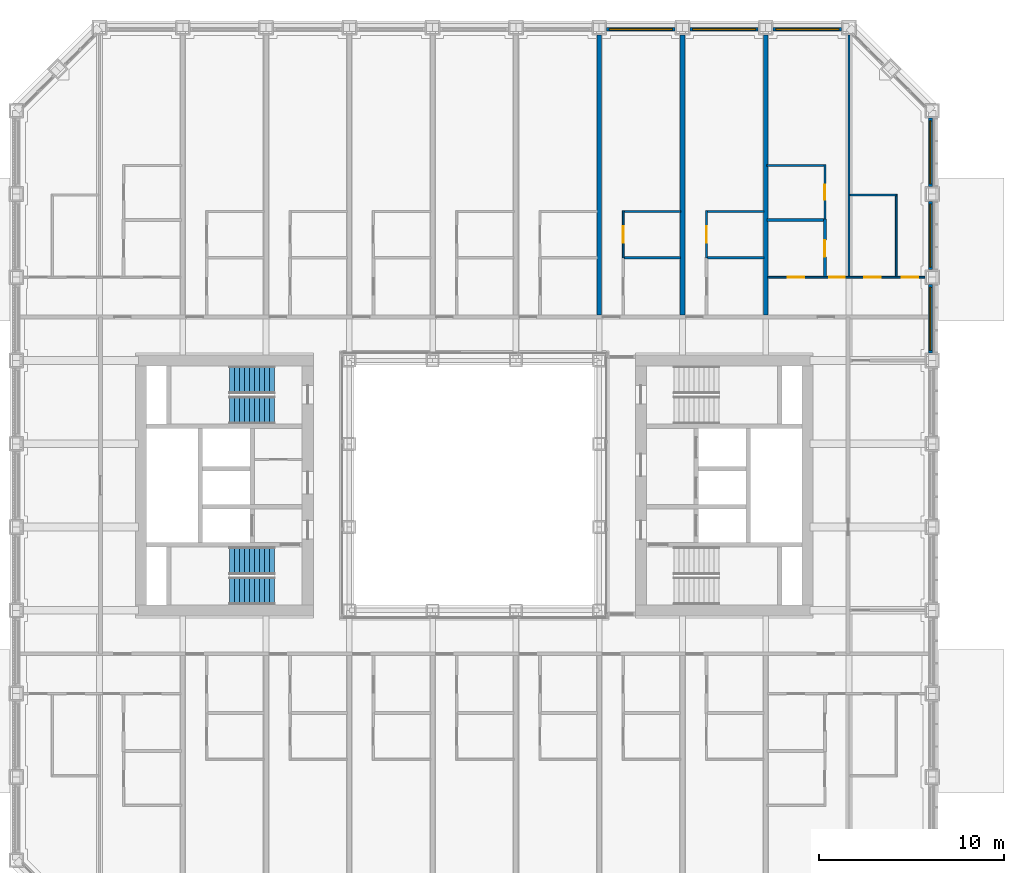
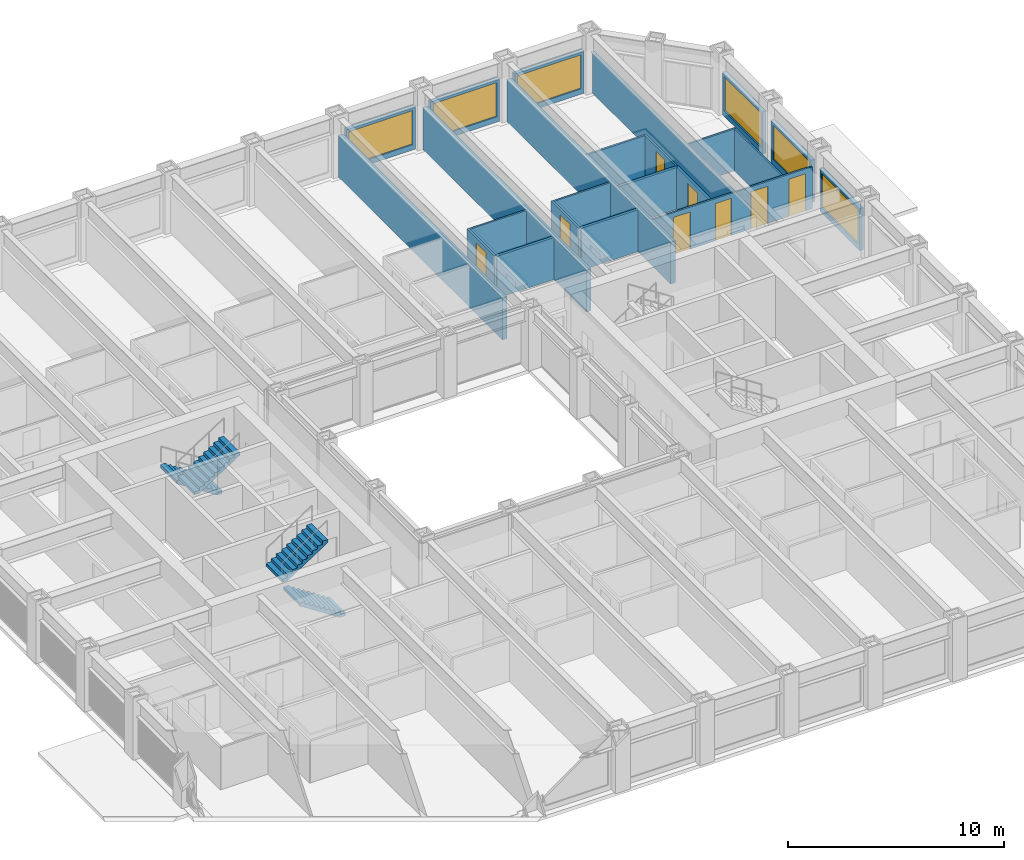
# One storey, part 18 of 24: 23 walls, 8 doors, 6 windows, 4 stair flights, 14 openings, 2 elements without a shape of their own.
"""IFC4 building model written with IfcOpenShell, lengths in metres."""

from ifc_helpers import new_model, si_unit, direction, frame, frame_2d, origin, place, context, subcontext, project, spatial, polyline, rectangle, outline, extrude, material, layer, layer_set, type_object, element, fill, aggregate, save


model = new_model("IFC4")

# Units and contexts
model_context = context("Model", 3, precision=1e-05, world=origin(), true_north=direction((0.0, 1.0)))
body_context = subcontext(model_context, "Body", "Model", "MODEL_VIEW")
ifc_project = project(units=[si_unit("LENGTHUNIT", "METRE"), si_unit("AREAUNIT", "SQUARE_METRE"), si_unit("VOLUMEUNIT", "CUBIC_METRE"), si_unit("PLANEANGLEUNIT", "RADIAN"), si_unit("MASSUNIT", "GRAM", prefix="KILO")], contexts=[model_context])

# Site, building, storey
site_placement = place(None, origin())
site = spatial("IfcSite", under=ifc_project, at=site_placement, CompositionType="ELEMENT")
building_placement = place(site_placement, origin())
building = spatial("IfcBuilding", under=site, at=building_placement, Name="Msasa Ring Tower", CompositionType="ELEMENT")
storey_placement = place(building_placement, frame((0.0, 0.0, 26.5)))
storey = spatial("IfcBuildingStorey", under=building, at=storey_placement, Name="L05", CompositionType="ELEMENT", Elevation=26.5)

# Wall, opening, window
ifc_material_1 = material(Name="Terracotta rainscreen on blockwork", Category="masonry")
ifc_layer_1 = layer(ifc_material_1, 0.199951171875)
ifc_layer_set_1 = layer_set([ifc_layer_1], Name="FW1 TERRACOTTA-LINED INFILL BAY WALL 200")
wall_type_1 = type_object("IfcWallType", Name="FW1 TERRACOTTA-LINED INFILL BAY WALL 200", PredefinedType="SOLIDWALL", material=ifc_layer_set_1)
wall_1_placement = place(storey_placement, frame((24.64990234375, 7.155029296875, 0.0), z_axis=(0.0, 0.0, 1.0), x_axis=(0.0, 1.0, 0.0)))
wall_1 = element("IfcWall", 1, at=wall_1_placement, inside=storey, type_object=wall_type_1, Name="Infill bay wall E L05 17", PredefinedType="SOLIDWALL", context=body_context, shape_type="SweptSolid", body=[
    extrude(rectangle(XDim=3.68994140625, YDim=0.199951171875, at=frame_2d((1.844970703125, 0.0))), origin(), (0.0, 0.0, 1.0), 2.37890625),
])
opening_1_placement = place(wall_1_placement, frame((0.14501953125, 0.0, 0.300048828125)))
opening_1 = element("IfcOpeningElement", 2, at=opening_1_placement, cuts=wall_1, Name="Opening WN1", PredefinedType="OPENING", context=body_context, shape_type="SweptSolid", body=[
    extrude(rectangle(XDim=3.39990234375, YDim=1.928955078125, at=frame_2d((1.699951171875, 0.96435546875))), frame((0.0, 0.10986328125, 0.0), z_axis=(0.0, -1.0, 0.0), x_axis=(1.0, 0.0, 0.0)), (0.0, 0.0, 1.0), 0.219970703125),
])
ifc_material_2 = material(Name="Aluminium frame with clear glass", Category="aluminium")
window_type = type_object("IfcWindowType", Name="WN1 RESIDENCE WINDOW 3400x1929", PartitioningType="SINGLE_PANEL", PredefinedType="WINDOW", material=ifc_material_2)
window_1_placement = place(opening_1_placement, origin())
window_1 = element("IfcWindow", 3, at=window_1_placement, inside=storey, type_object=window_type, Name="Window E L05 17", OverallHeight=1.928955078125, OverallWidth=3.39990234375, PartitioningType="SINGLE_PANEL", PredefinedType="WINDOW", context=body_context, shape_type="SweptSolid", body=[
    extrude(rectangle(XDim=3.39990234375, YDim=1.928955078125, at=frame_2d((1.699951171875, 0.96435546875))), frame((0.0, 0.030029296875, 0.0), z_axis=(0.0, -1.0, 0.0), x_axis=(1.0, 0.0, 0.0)), (0.0, 0.0, 1.0), 0.06005859375),
])
fill(opening_1, window_1)

wall_2_placement = place(storey_placement, frame((24.64990234375, 11.655029296875, 0.0), z_axis=(0.0, 0.0, 1.0), x_axis=(0.0, 1.0, 0.0)))
wall_2 = element("IfcWall", 4, at=wall_2_placement, inside=storey, type_object=wall_type_1, Name="Infill bay wall E L05 18", PredefinedType="SOLIDWALL", context=body_context, shape_type="SweptSolid", body=[
    extrude(rectangle(XDim=3.68994140625, YDim=0.199951171875, at=frame_2d((1.844970703125, 0.0))), origin(), (0.0, 0.0, 1.0), 2.37890625),
])
opening_2_placement = place(wall_2_placement, frame((0.14501953125, 0.0, 0.300048828125)))
opening_2 = element("IfcOpeningElement", 5, at=opening_2_placement, cuts=wall_2, Name="Opening WN1", PredefinedType="OPENING", context=body_context, shape_type="SweptSolid", body=[
    extrude(rectangle(XDim=3.39990234375, YDim=1.928955078125, at=frame_2d((1.699951171875, 0.96435546875))), frame((0.0, 0.10986328125, 0.0), z_axis=(0.0, -1.0, 0.0), x_axis=(1.0, 0.0, 0.0)), (0.0, 0.0, 1.0), 0.219970703125),
])
window_2_placement = place(opening_2_placement, origin())
window_2 = element("IfcWindow", 6, at=window_2_placement, inside=storey, type_object=window_type, Name="Window E L05 18", OverallHeight=1.928955078125, OverallWidth=3.39990234375, PartitioningType="SINGLE_PANEL", PredefinedType="WINDOW", context=body_context, shape_type="SweptSolid", body=[
    extrude(rectangle(XDim=3.39990234375, YDim=1.928955078125, at=frame_2d((1.699951171875, 0.96435546875))), frame((0.0, 0.030029296875, 0.0), z_axis=(0.0, -1.0, 0.0), x_axis=(1.0, 0.0, 0.0)), (0.0, 0.0, 1.0), 0.06005859375),
])
fill(opening_2, window_2)

wall_3_placement = place(storey_placement, frame((24.64990234375, 16.155029296875, 0.0), z_axis=(0.0, 0.0, 1.0), x_axis=(0.0, 1.0, 0.0)))
wall_3 = element("IfcWall", 7, at=wall_3_placement, inside=storey, type_object=wall_type_1, Name="Infill bay wall E L05 19", PredefinedType="SOLIDWALL", context=body_context, shape_type="SweptSolid", body=[
    extrude(rectangle(XDim=3.68994140625, YDim=0.199951171875, at=frame_2d((1.844970703125, 0.0))), origin(), (0.0, 0.0, 1.0), 2.37890625),
])
opening_3_placement = place(wall_3_placement, frame((0.14501953125, 0.0, 0.300048828125)))
opening_3 = element("IfcOpeningElement", 8, at=opening_3_placement, cuts=wall_3, Name="Opening WN1", PredefinedType="OPENING", context=body_context, shape_type="SweptSolid", body=[
    extrude(rectangle(XDim=3.39990234375, YDim=1.928955078125, at=frame_2d((1.699951171875, 0.96435546875))), frame((0.0, 0.10986328125, 0.0), z_axis=(0.0, -1.0, 0.0), x_axis=(1.0, 0.0, 0.0)), (0.0, 0.0, 1.0), 0.219970703125),
])
window_3_placement = place(opening_3_placement, origin())
window_3 = element("IfcWindow", 9, at=window_3_placement, inside=storey, type_object=window_type, Name="Window E L05 19", OverallHeight=1.928955078125, OverallWidth=3.39990234375, PartitioningType="SINGLE_PANEL", PredefinedType="WINDOW", context=body_context, shape_type="SweptSolid", body=[
    extrude(rectangle(XDim=3.39990234375, YDim=1.928955078125, at=frame_2d((1.699951171875, 0.96435546875))), frame((0.0, 0.030029296875, 0.0), z_axis=(0.0, -1.0, 0.0), x_axis=(1.0, 0.0, 0.0)), (0.0, 0.0, 1.0), 0.06005859375),
])
fill(opening_3, window_3)

wall_4_placement = place(storey_placement, frame((7.155029296875, 24.64990234375, 0.0), z_axis=(0.0, 0.0, 1.0), x_axis=(1.0, 0.0, 0.0)))
wall_4 = element("IfcWall", 10, at=wall_4_placement, inside=storey, type_object=wall_type_1, Name="Infill bay wall N L05 28", PredefinedType="SOLIDWALL", context=body_context, shape_type="SweptSolid", body=[
    extrude(rectangle(XDim=3.68994140625, YDim=0.199951171875, at=frame_2d((1.844970703125, 0.0))), origin(), (0.0, 0.0, 1.0), 2.37890625),
])
opening_4_placement = place(wall_4_placement, frame((0.14501953125, 0.0, 0.300048828125)))
opening_4 = element("IfcOpeningElement", 11, at=opening_4_placement, cuts=wall_4, Name="Opening WN1", PredefinedType="OPENING", context=body_context, shape_type="SweptSolid", body=[
    extrude(rectangle(XDim=3.39990234375, YDim=1.928955078125, at=frame_2d((1.699951171875, 0.96435546875))), frame((0.0, 0.10986328125, 0.0), z_axis=(0.0, -1.0, 0.0), x_axis=(1.0, 0.0, 0.0)), (0.0, 0.0, 1.0), 0.219970703125),
])
window_4_placement = place(opening_4_placement, origin())
window_4 = element("IfcWindow", 12, at=window_4_placement, inside=storey, type_object=window_type, Name="Window N L05 28", OverallHeight=1.928955078125, OverallWidth=3.39990234375, PartitioningType="SINGLE_PANEL", PredefinedType="WINDOW", context=body_context, shape_type="SweptSolid", body=[
    extrude(rectangle(XDim=3.39990234375, YDim=1.928955078125, at=frame_2d((1.699951171875, 0.96435546875))), frame((0.0, 0.030029296875, 0.0), z_axis=(0.0, -1.0, 0.0), x_axis=(1.0, 0.0, 0.0)), (0.0, 0.0, 1.0), 0.06005859375),
])
fill(opening_4, window_4)

wall_5_placement = place(storey_placement, frame((11.655029296875, 24.64990234375, 0.0), z_axis=(0.0, 0.0, 1.0), x_axis=(1.0, 0.0, 0.0)))
wall_5 = element("IfcWall", 13, at=wall_5_placement, inside=storey, type_object=wall_type_1, Name="Infill bay wall N L05 29", PredefinedType="SOLIDWALL", context=body_context, shape_type="SweptSolid", body=[
    extrude(rectangle(XDim=3.68994140625, YDim=0.199951171875, at=frame_2d((1.844970703125, 0.0))), origin(), (0.0, 0.0, 1.0), 2.37890625),
])
opening_5_placement = place(wall_5_placement, frame((0.14501953125, 0.0, 0.300048828125)))
opening_5 = element("IfcOpeningElement", 14, at=opening_5_placement, cuts=wall_5, Name="Opening WN1", PredefinedType="OPENING", context=body_context, shape_type="SweptSolid", body=[
    extrude(rectangle(XDim=3.39990234375, YDim=1.928955078125, at=frame_2d((1.699951171875, 0.96435546875))), frame((0.0, 0.10986328125, 0.0), z_axis=(0.0, -1.0, 0.0), x_axis=(1.0, 0.0, 0.0)), (0.0, 0.0, 1.0), 0.219970703125),
])
window_5_placement = place(opening_5_placement, origin())
window_5 = element("IfcWindow", 15, at=window_5_placement, inside=storey, type_object=window_type, Name="Window N L05 29", OverallHeight=1.928955078125, OverallWidth=3.39990234375, PartitioningType="SINGLE_PANEL", PredefinedType="WINDOW", context=body_context, shape_type="SweptSolid", body=[
    extrude(rectangle(XDim=3.39990234375, YDim=1.928955078125, at=frame_2d((1.699951171875, 0.96435546875))), frame((0.0, 0.030029296875, 0.0), z_axis=(0.0, -1.0, 0.0), x_axis=(1.0, 0.0, 0.0)), (0.0, 0.0, 1.0), 0.06005859375),
])
fill(opening_5, window_5)

wall_6_placement = place(storey_placement, frame((16.155029296875, 24.64990234375, 0.0), z_axis=(0.0, 0.0, 1.0), x_axis=(1.0, 0.0, 0.0)))
wall_6 = element("IfcWall", 16, at=wall_6_placement, inside=storey, type_object=wall_type_1, Name="Infill bay wall N L05 30", PredefinedType="SOLIDWALL", context=body_context, shape_type="SweptSolid", body=[
    extrude(rectangle(XDim=3.68994140625, YDim=0.199951171875, at=frame_2d((1.844970703125, 0.0))), origin(), (0.0, 0.0, 1.0), 2.37890625),
])
opening_6_placement = place(wall_6_placement, frame((0.14501953125, 0.0, 0.300048828125)))
opening_6 = element("IfcOpeningElement", 17, at=opening_6_placement, cuts=wall_6, Name="Opening WN1", PredefinedType="OPENING", context=body_context, shape_type="SweptSolid", body=[
    extrude(rectangle(XDim=3.39990234375, YDim=1.928955078125, at=frame_2d((1.699951171875, 0.96435546875))), frame((0.0, 0.10986328125, 0.0), z_axis=(0.0, -1.0, 0.0), x_axis=(1.0, 0.0, 0.0)), (0.0, 0.0, 1.0), 0.219970703125),
])
window_6_placement = place(opening_6_placement, origin())
window_6 = element("IfcWindow", 18, at=window_6_placement, inside=storey, type_object=window_type, Name="Window N L05 30", OverallHeight=1.928955078125, OverallWidth=3.39990234375, PartitioningType="SINGLE_PANEL", PredefinedType="WINDOW", context=body_context, shape_type="SweptSolid", body=[
    extrude(rectangle(XDim=3.39990234375, YDim=1.928955078125, at=frame_2d((1.699951171875, 0.96435546875))), frame((0.0, 0.030029296875, 0.0), z_axis=(0.0, -1.0, 0.0), x_axis=(1.0, 0.0, 0.0)), (0.0, 0.0, 1.0), 0.06005859375),
])
fill(opening_6, window_6)

# Wall
ifc_material_3 = material(Name="Gypsum board on steel studs", Category="steel")
ifc_layer_2 = layer(ifc_material_3, 0.10009765625)
ifc_layer_set_2 = layer_set([ifc_layer_2], Name="PT2 STUD PARTITION 100")
wall_type_2 = type_object("IfcWallType", Name="PT2 STUD PARTITION 100", PredefinedType="PARTITIONING", material=ifc_layer_set_2)
wall_7_placement = place(storey_placement, frame((8.10009765625, 14.800048828125, 0.0), z_axis=(0.0, 0.0, 1.0), x_axis=(1.0, 0.0, 0.0)))
element("IfcWall", 19, at=wall_7_placement, inside=storey, type_object=wall_type_2, Name="Partition L05-UN06KY", PredefinedType="PARTITIONING", context=body_context, shape_type="SweptSolid", body=[
    extrude(rectangle(XDim=3.0498046875, YDim=0.10009765625, at=frame_2d((1.52490234375, 0.0))), origin(), (0.0, 0.0, 1.0), 2.373291015625),
])

# Wall, opening, door
wall_8_placement = place(storey_placement, frame((8.050048828125, 12.300048828125, 0.0), z_axis=(0.0, 0.0, 1.0), x_axis=(0.0, 1.0, 0.0)))
wall_8 = element("IfcWall", 20, at=wall_8_placement, inside=storey, type_object=wall_type_2, Name="Partition L05-UN06KX", PredefinedType="PARTITIONING", context=body_context, shape_type="SweptSolid", body=[
    extrude(rectangle(XDim=2.550048828125, YDim=0.10009765625, at=frame_2d((1.27490234375, 0.0))), origin(), (0.0, 0.0, 1.0), 2.373291015625),
])
opening_7_placement = place(wall_8_placement, frame((0.81005859375, 0.0, 0.0)))
opening_7 = element("IfcOpeningElement", 21, at=opening_7_placement, cuts=wall_8, Name="Opening RA-008", PredefinedType="OPENING", context=body_context, shape_type="SweptSolid", body=[
    extrude(rectangle(XDim=0.89990234375, YDim=2.10009765625, at=frame_2d((0.449951171875, 1.050048828125))), frame((0.0, 0.06005859375, 0.0), z_axis=(0.0, -1.0, 0.0), x_axis=(1.0, 0.0, 0.0)), (0.0, 0.0, 1.0), 0.1201171875),
])
ifc_material_4 = material(Name="Timber door leaf in a steel frame", Category="steel")
door_type_1 = type_object("IfcDoorType", Name="D22 INTERNAL HALL DOOR 900x2100", OperationType="SINGLE_SWING_LEFT", PredefinedType="DOOR", material=ifc_material_4)
door_1_placement = place(opening_7_placement, origin())
door_1 = element("IfcDoor", 22, at=door_1_placement, inside=storey, type_object=door_type_1, Name="Door L05-UN06K", OperationType="SINGLE_SWING_LEFT", OverallHeight=2.10009765625, OverallWidth=0.89990234375, PredefinedType="DOOR", context=body_context, shape_type="SweptSolid", body=[
    extrude(rectangle(XDim=0.89990234375, YDim=2.10009765625, at=frame_2d((0.449951171875, 1.050048828125))), frame((0.0, 0.02490234375, 0.0), z_axis=(0.0, -1.0, 0.0), x_axis=(1.0, 0.0, 0.0)), (0.0, 0.0, 1.0), 0.050048828125),
])
fill(opening_7, door_1)

# Wall
wall_9_placement = place(storey_placement, frame((12.60009765625, 14.800048828125, 0.0), z_axis=(0.0, 0.0, 1.0), x_axis=(1.0, 0.0, 0.0)))
element("IfcWall", 23, at=wall_9_placement, inside=storey, type_object=wall_type_2, Name="Partition L05-UN07KY", PredefinedType="PARTITIONING", context=body_context, shape_type="SweptSolid", body=[
    extrude(rectangle(XDim=3.0498046875, YDim=0.10009765625, at=frame_2d((1.52490234375, 0.0))), origin(), (0.0, 0.0, 1.0), 2.373291015625),
])

# Wall, opening, door
wall_10_placement = place(storey_placement, frame((12.550048828125, 12.300048828125, 0.0), z_axis=(0.0, 0.0, 1.0), x_axis=(0.0, 1.0, 0.0)))
wall_10 = element("IfcWall", 24, at=wall_10_placement, inside=storey, type_object=wall_type_2, Name="Partition L05-UN07KX", PredefinedType="PARTITIONING", context=body_context, shape_type="SweptSolid", body=[
    extrude(rectangle(XDim=2.550048828125, YDim=0.10009765625, at=frame_2d((1.27490234375, 0.0))), origin(), (0.0, 0.0, 1.0), 2.373291015625),
])
opening_8_placement = place(wall_10_placement, frame((0.81005859375, 0.0, 0.0)))
opening_8 = element("IfcOpeningElement", 25, at=opening_8_placement, cuts=wall_10, Name="Opening RA-009", PredefinedType="OPENING", context=body_context, shape_type="SweptSolid", body=[
    extrude(rectangle(XDim=0.89990234375, YDim=2.10009765625, at=frame_2d((0.449951171875, 1.050048828125))), frame((0.0, 0.06005859375, 0.0), z_axis=(0.0, -1.0, 0.0), x_axis=(1.0, 0.0, 0.0)), (0.0, 0.0, 1.0), 0.1201171875),
])
door_2_placement = place(opening_8_placement, origin())
door_2 = element("IfcDoor", 26, at=door_2_placement, inside=storey, type_object=door_type_1, Name="Door L05-UN07K", OperationType="SINGLE_SWING_LEFT", OverallHeight=2.10009765625, OverallWidth=0.89990234375, PredefinedType="DOOR", context=body_context, shape_type="SweptSolid", body=[
    extrude(rectangle(XDim=0.89990234375, YDim=2.10009765625, at=frame_2d((0.449951171875, 1.050048828125))), frame((0.0, 0.02490234375, 0.0), z_axis=(0.0, -1.0, 0.0), x_axis=(1.0, 0.0, 0.0)), (0.0, 0.0, 1.0), 0.050048828125),
])
fill(opening_8, door_2)

# Wall, openings, doors
wall_11_placement = place(storey_placement, frame((15.85009765625, 11.25, 0.0), z_axis=(0.0, 0.0, 1.0), x_axis=(1.0, 0.0, 0.0)))
wall_11 = element("IfcWall", 27, at=wall_11_placement, inside=storey, type_object=wall_type_2, Name="Partition L05-UN08HY", PredefinedType="PARTITIONING", context=body_context, shape_type="SweptSolid", body=[
    extrude(rectangle(XDim=8.5, YDim=0.10009765625, at=frame_2d((4.25, 0.0))), origin(), (0.0, 0.0, 1.0), 2.373291015625),
])
opening_9_placement = place(wall_11_placement, frame((5.22509765625, 0.0, 0.0)))
opening_9 = element("IfcOpeningElement", 28, at=opening_9_placement, cuts=wall_11, Name="Opening RA-018", PredefinedType="OPENING", context=body_context, shape_type="SweptSolid", body=[
    extrude(rectangle(XDim=0.89990234375, YDim=2.10009765625, at=frame_2d((0.449951171875, 1.050048828125))), frame((0.0, 0.06005859375, 0.0), z_axis=(0.0, -1.0, 0.0), x_axis=(1.0, 0.0, 0.0)), (0.0, 0.0, 1.0), 0.1201171875),
])
opening_10_placement = place(wall_11_placement, frame((7.25, 0.0, 0.0)))
opening_10 = element("IfcOpeningElement", 29, at=opening_10_placement, cuts=wall_11, Name="Opening RA-019", PredefinedType="OPENING", context=body_context, shape_type="SweptSolid", body=[
    extrude(rectangle(XDim=0.89990234375, YDim=2.10009765625, at=frame_2d((0.449951171875, 1.050048828125))), frame((0.0, 0.06005859375, 0.0), z_axis=(0.0, -1.0, 0.0), x_axis=(1.0, 0.0, 0.0)), (0.0, 0.0, 1.0), 0.1201171875),
])
opening_11_placement = place(wall_11_placement, frame((3.324951171875, 0.0, 0.0)))
opening_11 = element("IfcOpeningElement", 30, at=opening_11_placement, cuts=wall_11, Name="Opening RA-017", PredefinedType="OPENING", context=body_context, shape_type="SweptSolid", body=[
    extrude(rectangle(XDim=0.85009765625, YDim=2.10009765625, at=frame_2d((0.425048828125, 1.050048828125))), frame((0.0, 0.06005859375, 0.0), z_axis=(0.0, -1.0, 0.0), x_axis=(1.0, 0.0, 0.0)), (0.0, 0.0, 1.0), 0.1201171875),
])
opening_12_placement = place(wall_11_placement, frame((1.080078125, 0.0, 0.0)))
opening_12 = element("IfcOpeningElement", 31, at=opening_12_placement, cuts=wall_11, Name="Opening RA-016", PredefinedType="OPENING", context=body_context, shape_type="SweptSolid", body=[
    extrude(rectangle(XDim=0.89990234375, YDim=2.10009765625, at=frame_2d((0.449951171875, 1.050048828125))), frame((0.0, 0.06005859375, 0.0), z_axis=(0.0, -1.0, 0.0), x_axis=(1.0, 0.0, 0.0)), (0.0, 0.0, 1.0), 0.1201171875),
])
ifc_material_5 = material(Name="Timber door leaf in a steel frame", Category="steel")
door_type_2 = type_object("IfcDoorType", Name="D14 BEDROOM DOOR 850x2100", OperationType="SINGLE_SWING_LEFT", PredefinedType="DOOR", material=ifc_material_5)
door_3_placement = place(opening_11_placement, origin())
door_3 = element("IfcDoor", 32, at=door_3_placement, inside=storey, type_object=door_type_2, Name="Door L05-UN08R1", OperationType="SINGLE_SWING_LEFT", OverallHeight=2.10009765625, OverallWidth=0.85009765625, PredefinedType="DOOR", context=body_context, shape_type="SweptSolid", body=[
    extrude(rectangle(XDim=0.85009765625, YDim=2.10009765625, at=frame_2d((0.425048828125, 1.050048828125))), frame((0.0, 0.02490234375, 0.0), z_axis=(0.0, -1.0, 0.0), x_axis=(1.0, 0.0, 0.0)), (0.0, 0.0, 1.0), 0.050048828125),
])
fill(opening_11, door_3)
door_4_placement = place(opening_9_placement, origin())
door_4 = element("IfcDoor", 33, at=door_4_placement, inside=storey, type_object=door_type_1, Name="Door L05-UN08K", OperationType="SINGLE_SWING_RIGHT", OverallHeight=2.10009765625, OverallWidth=0.89990234375, PredefinedType="DOOR", context=body_context, shape_type="SweptSolid", body=[
    extrude(rectangle(XDim=0.89990234375, YDim=2.10009765625, at=frame_2d((0.449951171875, 1.050048828125))), frame((0.0, 0.02490234375, 0.0), z_axis=(0.0, -1.0, 0.0), x_axis=(1.0, 0.0, 0.0)), (0.0, 0.0, 1.0), 0.050048828125),
])
fill(opening_9, door_4)
door_5_placement = place(opening_10_placement, origin())
door_5 = element("IfcDoor", 34, at=door_5_placement, inside=storey, type_object=door_type_1, Name="Door L05-UN08L", OperationType="SINGLE_SWING_RIGHT", OverallHeight=2.10009765625, OverallWidth=0.89990234375, PredefinedType="DOOR", context=body_context, shape_type="SweptSolid", body=[
    extrude(rectangle(XDim=0.89990234375, YDim=2.10009765625, at=frame_2d((0.449951171875, 1.050048828125))), frame((0.0, 0.02490234375, 0.0), z_axis=(0.0, -1.0, 0.0), x_axis=(1.0, 0.0, 0.0)), (0.0, 0.0, 1.0), 0.050048828125),
])
fill(opening_10, door_5)
ifc_material_6 = material(Name="Timber door leaf in a steel frame", Category="steel")
door_type_3 = type_object("IfcDoorType", Name="D3 BATHROOM DOOR 900x2100", OperationType="SINGLE_SWING_LEFT", PredefinedType="DOOR", material=ifc_material_6)
door_6_placement = place(opening_12_placement, origin())
door_6 = element("IfcDoor", 35, at=door_6_placement, inside=storey, type_object=door_type_3, Name="Door L05-UN08BH1", OperationType="SINGLE_SWING_LEFT", OverallHeight=2.10009765625, OverallWidth=0.89990234375, PredefinedType="DOOR", context=body_context, shape_type="SweptSolid", body=[
    extrude(rectangle(XDim=0.89990234375, YDim=2.10009765625, at=frame_2d((0.449951171875, 1.050048828125))), frame((0.0, 0.02490234375, 0.0), z_axis=(0.0, -1.0, 0.0), x_axis=(1.0, 0.0, 0.0)), (0.0, 0.0, 1.0), 0.050048828125),
])
fill(opening_12, door_6)

# Walls
wall_12_placement = place(storey_placement, frame((22.800048828125, 11.300048828125, 0.0), z_axis=(0.0, 0.0, 1.0), x_axis=(0.0, 1.0, 0.0)))
element("IfcWall", 36, at=wall_12_placement, inside=storey, type_object=wall_type_2, Name="Partition L05-UN08KX", PredefinedType="PARTITIONING", context=body_context, shape_type="SweptSolid", body=[
    extrude(rectangle(XDim=4.442138671875, YDim=0.10009765625, at=frame_2d((2.22119140625, 0.0))), origin(), (0.0, 0.0, 1.0), 2.373291015625),
])
wall_13_placement = place(storey_placement, frame((20.300048828125, 15.692138671875, 0.0), z_axis=(0.0, 0.0, 1.0), x_axis=(1.0, 0.0, 0.0)))
element("IfcWall", 37, at=wall_13_placement, inside=storey, type_object=wall_type_2, Name="Partition L05-UN08KY", PredefinedType="PARTITIONING", context=body_context, shape_type="SweptSolid", body=[
    extrude(rectangle(XDim=2.5, YDim=0.10009765625, at=frame_2d((1.25, 0.0))), origin(), (0.0, 0.0, 1.0), 2.373291015625),
])
wall_14_placement = place(storey_placement, frame((20.25, 11.300048828125, 0.0), z_axis=(0.0, 0.0, 1.0), x_axis=(0.0, 1.0, 0.0)))
element("IfcWall", 38, at=wall_14_placement, inside=storey, type_object=wall_type_2, Name="Partition L05-UN08P1", PredefinedType="PARTITIONING", context=body_context, shape_type="SweptSolid", body=[
    extrude(rectangle(XDim=13.050048828125, YDim=0.10009765625, at=frame_2d((6.52490234375, 0.0))), origin(), (0.0, 0.0, 1.0), 2.373291015625),
])

# Wall, opening, door
wall_15_placement = place(storey_placement, frame((18.949951171875, 14.39990234375, 0.0), z_axis=(0.0, 0.0, 1.0), x_axis=(0.0, 1.0, 0.0)))
wall_15 = element("IfcWall", 39, at=wall_15_placement, inside=storey, type_object=wall_type_2, Name="Partition L05-UN08WX1", PredefinedType="PARTITIONING", context=body_context, shape_type="SweptSolid", body=[
    extrude(rectangle(XDim=2.94091796875, YDim=0.10009765625, at=frame_2d((1.470458984375, 0.0))), origin(), (0.0, 0.0, 1.0), 2.373291015625),
])
opening_13_placement = place(wall_15_placement, frame((1.04541015625, 0.0, 0.0)))
opening_13 = element("IfcOpeningElement", 40, at=opening_13_placement, cuts=wall_15, Name="Opening RA-002", PredefinedType="OPENING", context=body_context, shape_type="SweptSolid", body=[
    extrude(rectangle(XDim=0.800048828125, YDim=2.10009765625, at=frame_2d((0.39990234375, 1.050048828125))), frame((0.0, 0.06005859375, 0.0), z_axis=(0.0, -1.0, 0.0), x_axis=(1.0, 0.0, 0.0)), (0.0, 0.0, 1.0), 0.1201171875),
])
ifc_material_7 = material(Name="Timber door leaf in a steel frame", Category="steel")
door_type_4 = type_object("IfcDoorType", Name="D60 DRESSING ROOM DOOR 800x2100", OperationType="SINGLE_SWING_LEFT", PredefinedType="DOOR", material=ifc_material_7)
door_7_placement = place(opening_13_placement, origin())
door_7 = element("IfcDoor", 41, at=door_7_placement, inside=storey, type_object=door_type_4, Name="Door L05-UN08W1", OperationType="SINGLE_SWING_LEFT", OverallHeight=2.10009765625, OverallWidth=0.800048828125, PredefinedType="DOOR", context=body_context, shape_type="SweptSolid", body=[
    extrude(rectangle(XDim=0.800048828125, YDim=2.10009765625, at=frame_2d((0.39990234375, 1.050048828125))), frame((0.0, 0.02490234375, 0.0), z_axis=(0.0, -1.0, 0.0), x_axis=(1.0, 0.0, 0.0)), (0.0, 0.0, 1.0), 0.050048828125),
])
fill(opening_13, door_7)

# Walls
wall_16_placement = place(storey_placement, frame((15.81005859375, 17.291015625, 0.0), z_axis=(0.0, 0.0, 1.0), x_axis=(1.0, 0.0, 0.0)))
element("IfcWall", 42, at=wall_16_placement, inside=storey, type_object=wall_type_2, Name="Partition L05-UN08WY1", PredefinedType="PARTITIONING", context=body_context, shape_type="SweptSolid", body=[
    extrude(rectangle(XDim=3.139892578125, YDim=0.10009765625, at=frame_2d((1.56982421875, 0.0))), origin(), (0.0, 0.0, 1.0), 2.373291015625),
])
ifc_material_8 = material(Name="Dense concrete blockwork, plastered both faces", Category="masonry")
ifc_layer_3 = layer(ifc_material_8, 0.25)
ifc_layer_set_3 = layer_set([ifc_layer_3], Name="PT3 APARTMENT SEPARATING WALL 250")
wall_type_3 = type_object("IfcWallType", Name="PT3 APARTMENT SEPARATING WALL 250", PredefinedType="PARTITIONING", material=ifc_layer_set_3)
for number, where, z_axis, x_axis, name in (
    (43, (6.75, 9.199951171875, 0.0), (0.0, 0.0, 1.0), (0.0, 1.0, 0.0), "Party wall L05-PWN+6.75"),
    (44, (11.25, 9.199951171875, 0.0), (0.0, 0.0, 1.0), (0.0, 1.0, 0.0), "Party wall L05-PWN+11.25"),
    (45, (15.75, 9.199951171875, 0.0), (0.0, 0.0, 1.0), (0.0, 1.0, 0.0), "Party wall L05-PWN+15.75"),
):
    element("IfcWall", number, at=place(storey_placement, frame(where, z_axis=z_axis, x_axis=x_axis)), inside=storey, type_object=wall_type_3, Name=name, PredefinedType="PARTITIONING", context=body_context, shape_type="SweptSolid", body=[
        extrude(rectangle(XDim=15.150146484375, YDim=0.25, at=frame_2d((7.5751953125, 0.0))), origin(), (0.0, 0.0, 1.0), 2.373291015625),
    ])
ifc_material_9 = material(Name="Moisture-resistant board on steel studs with a concealed cistern and pipe void, tiled", Category="steel")
ifc_layer_4 = layer(ifc_material_9, 0.14990234375)
ifc_layer_set_4 = layer_set([ifc_layer_4], Name="PT4 BATHROOM WET WALL 150")
wall_type_4 = type_object("IfcWallType", Name="PT4 BATHROOM WET WALL 150", PredefinedType="PARTITIONING", material=ifc_layer_set_4)
for number, where, z_axis, x_axis, name in (
    (46, (8.10009765625, 12.300048828125, 0.0), (0.0, 0.0, 1.0), (1.0, 0.0, 0.0), "Partition L05-UN06BY"),
    (47, (12.60009765625, 12.300048828125, 0.0), (0.0, 0.0, 1.0), (1.0, 0.0, 0.0), "Partition L05-UN07BY"),
):
    element("IfcWall", number, at=place(storey_placement, frame(where, z_axis=z_axis, x_axis=x_axis)), inside=storey, type_object=wall_type_4, Name=name, PredefinedType="PARTITIONING", context=body_context, shape_type="SweptSolid", body=[
        extrude(rectangle(XDim=3.0498046875, YDim=0.14990234375, at=frame_2d((1.52490234375, 0.0))), origin(), (0.0, 0.0, 1.0), 2.373291015625),
    ])

# Wall, opening, door
wall_17_placement = place(storey_placement, frame((18.949951171875, 11.300048828125, 0.0), z_axis=(0.0, 0.0, 1.0), x_axis=(0.0, 1.0, 0.0)))
wall_17 = element("IfcWall", 48, at=wall_17_placement, inside=storey, type_object=wall_type_4, Name="Partition L05-UN08BX1", PredefinedType="PARTITIONING", context=body_context, shape_type="SweptSolid", body=[
    extrude(rectangle(XDim=3.099853515625, YDim=0.14990234375, at=frame_2d((1.5498046875, 0.0))), origin(), (0.0, 0.0, 1.0), 2.373291015625),
])
opening_14_placement = place(wall_17_placement, frame((1.050048828125, 0.0, 0.0)))
opening_14 = element("IfcOpeningElement", 49, at=opening_14_placement, cuts=wall_17, Name="Opening RA-011", PredefinedType="OPENING", context=body_context, shape_type="SweptSolid", body=[
    extrude(rectangle(XDim=0.89990234375, YDim=2.10009765625, at=frame_2d((0.449951171875, 1.050048828125))), frame((0.0, 0.0849609375, 0.0), z_axis=(0.0, -1.0, 0.0), x_axis=(1.0, 0.0, 0.0)), (0.0, 0.0, 1.0), 0.169921875),
])
door_8_placement = place(opening_14_placement, origin())
door_8 = element("IfcDoor", 50, at=door_8_placement, inside=storey, type_object=door_type_3, Name="Door L05-UN08B1", OperationType="SINGLE_SWING_LEFT", OverallHeight=2.10009765625, OverallWidth=0.89990234375, PredefinedType="DOOR", context=body_context, shape_type="SweptSolid", body=[
    extrude(rectangle(XDim=0.89990234375, YDim=2.10009765625, at=frame_2d((0.449951171875, 1.050048828125))), frame((0.0, 0.02490234375, 0.0), z_axis=(0.0, -1.0, 0.0), x_axis=(1.0, 0.0, 0.0)), (0.0, 0.0, 1.0), 0.050048828125),
])
fill(opening_14, door_8)

# Wall
wall_18_placement = place(storey_placement, frame((15.81005859375, 14.35009765625, 0.0), z_axis=(0.0, 0.0, 1.0), x_axis=(1.0, 0.0, 0.0)))
element("IfcWall", 51, at=wall_18_placement, inside=storey, type_object=wall_type_4, Name="Partition L05-UN08BY1", PredefinedType="PARTITIONING", context=body_context, shape_type="SweptSolid", body=[
    extrude(rectangle(XDim=3.139892578125, YDim=0.14990234375, at=frame_2d((1.56982421875, 0.0))), origin(), (0.0, 0.0, 1.0), 2.373291015625),
])

# Stair, stair flights
ifc_material_10 = material(Name="Concrete C40/50", Category="concrete")
stair_type = type_object("IfcStairType", Name="STC CORE STAIR 20 RISERS 175", PredefinedType="HALF_TURN_STAIR", material=ifc_material_10)
stair_1_placement = place(storey_placement, origin())
stair_1 = element("IfcStair", 52, at=stair_1_placement, inside=storey, type_object=stair_type, Name="Core stair SWA L05", PredefinedType="HALF_TURN_STAIR")
ifc_material_11 = material(Name="Concrete C40/50", Category="concrete")
stair_flight_type = type_object("IfcStairFlightType", Name="ST12 CORE STAIR FLIGHT 1500 10 RISERS 175", PredefinedType="STRAIGHT", material=ifc_material_11)
stair_flight_1_placement = place(storey_placement, frame((-10.800048828125, -5.699951171875, 0.0), z_axis=(0.0, 0.0, 1.0), x_axis=(-1.0, 0.0, 0.0)))
stair_flight_1 = element("IfcStairFlight", 53, at=stair_flight_1_placement, type_object=stair_flight_type, Name="SWA flight 1", NumberOfRisers=10, NumberOfTreads=9, PredefinedType="STRAIGHT", RiserHeight=0.175, TreadLength=0.27, context=body_context, shape_type="SweptSolid", body=[
    extrude(outline(polyline([(0.0, 0.0), (0.0, 0.175048828125), (0.27001953125, 0.175048828125), (0.27001953125, 0.35009765625), (0.5400390625, 0.35009765625), (0.5400390625, 0.52490234375), (0.81005859375, 0.52490234375), (0.81005859375, 0.699951171875), (1.080078125, 0.699951171875), (1.080078125, 0.875), (1.35009765625, 0.875), (1.35009765625, 1.050048828125), (1.6201171875, 1.050048828125), (1.6201171875, 1.22509765625), (1.889892578125, 1.22509765625), (1.889892578125, 1.39990234375), (2.159912109375, 1.39990234375), (2.159912109375, 1.574951171875), (2.429931640625, 1.574951171875), (2.429931640625, 1.75), (2.429931640625, 1.396484375), (0.275634765625, 0.0), (0.0, 0.0)])), frame((0.0, 0.75, 0.0), z_axis=(0.0, -1.0, 0.0), x_axis=(1.0, 0.0, 0.0)), (0.0, 0.0, 1.0), 1.5),
])
stair_flight_2_placement = place(storey_placement, frame((-13.22998046875, -4.074951171875, 1.75), z_axis=(0.0, 0.0, 1.0), x_axis=(1.0, 0.0, 0.0)))
stair_flight_2 = element("IfcStairFlight", 54, at=stair_flight_2_placement, type_object=stair_flight_type, Name="SWA flight 2", NumberOfRisers=10, NumberOfTreads=9, PredefinedType="STRAIGHT", RiserHeight=0.175, TreadLength=0.27, context=body_context, shape_type="SweptSolid", body=[
    extrude(outline(polyline([(0.0, 0.0), (0.0, 0.175048828125), (0.27001953125, 0.175048828125), (0.27001953125, 0.35009765625), (0.5400390625, 0.35009765625), (0.5400390625, 0.52490234375), (0.81005859375, 0.52490234375), (0.81005859375, 0.699951171875), (1.080078125, 0.699951171875), (1.080078125, 0.875), (1.35009765625, 0.875), (1.35009765625, 1.050048828125), (1.6201171875, 1.050048828125), (1.6201171875, 1.22509765625), (1.889892578125, 1.22509765625), (1.889892578125, 1.39990234375), (2.159912109375, 1.39990234375), (2.159912109375, 1.574951171875), (2.429931640625, 1.574951171875), (2.429931640625, 1.75), (2.429931640625, 1.396484375), (0.275634765625, 0.0), (0.0, 0.0)])), frame((0.0, 0.75, 0.0), z_axis=(0.0, -1.0, 0.0), x_axis=(1.0, 0.0, 0.0)), (0.0, 0.0, 1.0), 1.5),
])
aggregate(stair_1, [stair_flight_1, stair_flight_2])

stair_2_placement = place(storey_placement, origin())
stair_2 = element("IfcStair", 55, at=stair_2_placement, inside=storey, type_object=stair_type, Name="Core stair SWB L05", PredefinedType="HALF_TURN_STAIR")
stair_flight_3_placement = place(storey_placement, frame((-10.800048828125, 5.699951171875, 0.0), z_axis=(0.0, 0.0, 1.0), x_axis=(-1.0, 0.0, 0.0)))
stair_flight_3 = element("IfcStairFlight", 56, at=stair_flight_3_placement, type_object=stair_flight_type, Name="SWB flight 1", NumberOfRisers=10, NumberOfTreads=9, PredefinedType="STRAIGHT", RiserHeight=0.175, TreadLength=0.27, context=body_context, shape_type="SweptSolid", body=[
    extrude(outline(polyline([(0.0, 0.0), (0.0, 0.175048828125), (0.27001953125, 0.175048828125), (0.27001953125, 0.35009765625), (0.5400390625, 0.35009765625), (0.5400390625, 0.52490234375), (0.81005859375, 0.52490234375), (0.81005859375, 0.699951171875), (1.080078125, 0.699951171875), (1.080078125, 0.875), (1.35009765625, 0.875), (1.35009765625, 1.050048828125), (1.6201171875, 1.050048828125), (1.6201171875, 1.22509765625), (1.889892578125, 1.22509765625), (1.889892578125, 1.39990234375), (2.159912109375, 1.39990234375), (2.159912109375, 1.574951171875), (2.429931640625, 1.574951171875), (2.429931640625, 1.75), (2.429931640625, 1.396484375), (0.275634765625, 0.0), (0.0, 0.0)])), frame((0.0, 0.75, 0.0), z_axis=(0.0, -1.0, 0.0), x_axis=(1.0, 0.0, 0.0)), (0.0, 0.0, 1.0), 1.5),
])
stair_flight_4_placement = place(storey_placement, frame((-13.22998046875, 4.074951171875, 1.75), z_axis=(0.0, 0.0, 1.0), x_axis=(1.0, 0.0, 0.0)))
stair_flight_4 = element("IfcStairFlight", 57, at=stair_flight_4_placement, type_object=stair_flight_type, Name="SWB flight 2", NumberOfRisers=10, NumberOfTreads=9, PredefinedType="STRAIGHT", RiserHeight=0.175, TreadLength=0.27, context=body_context, shape_type="SweptSolid", body=[
    extrude(outline(polyline([(0.0, 0.0), (0.0, 0.175048828125), (0.27001953125, 0.175048828125), (0.27001953125, 0.35009765625), (0.5400390625, 0.35009765625), (0.5400390625, 0.52490234375), (0.81005859375, 0.52490234375), (0.81005859375, 0.699951171875), (1.080078125, 0.699951171875), (1.080078125, 0.875), (1.35009765625, 0.875), (1.35009765625, 1.050048828125), (1.6201171875, 1.050048828125), (1.6201171875, 1.22509765625), (1.889892578125, 1.22509765625), (1.889892578125, 1.39990234375), (2.159912109375, 1.39990234375), (2.159912109375, 1.574951171875), (2.429931640625, 1.574951171875), (2.429931640625, 1.75), (2.429931640625, 1.396484375), (0.275634765625, 0.0), (0.0, 0.0)])), frame((0.0, 0.75, 0.0), z_axis=(0.0, -1.0, 0.0), x_axis=(1.0, 0.0, 0.0)), (0.0, 0.0, 1.0), 1.5),
])
aggregate(stair_2, [stair_flight_3, stair_flight_4])

save(model, "model.ifc")
